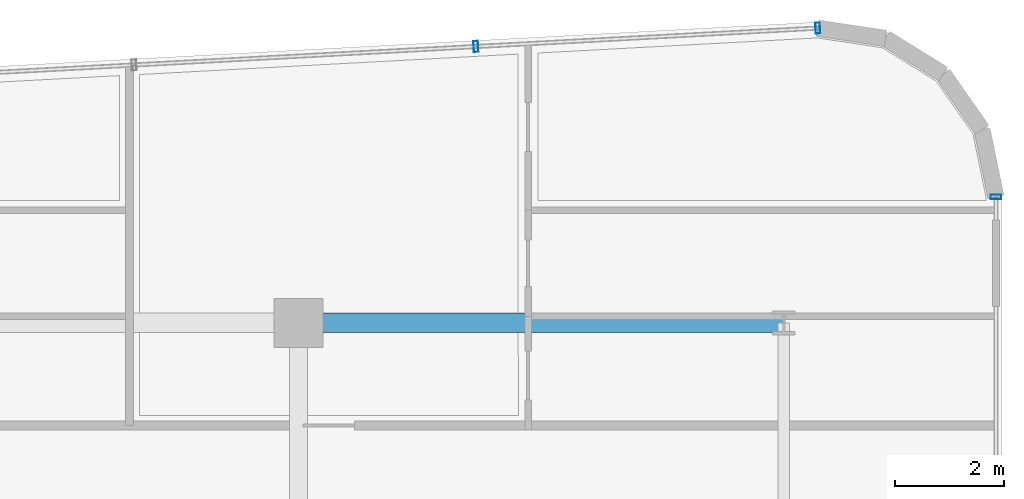
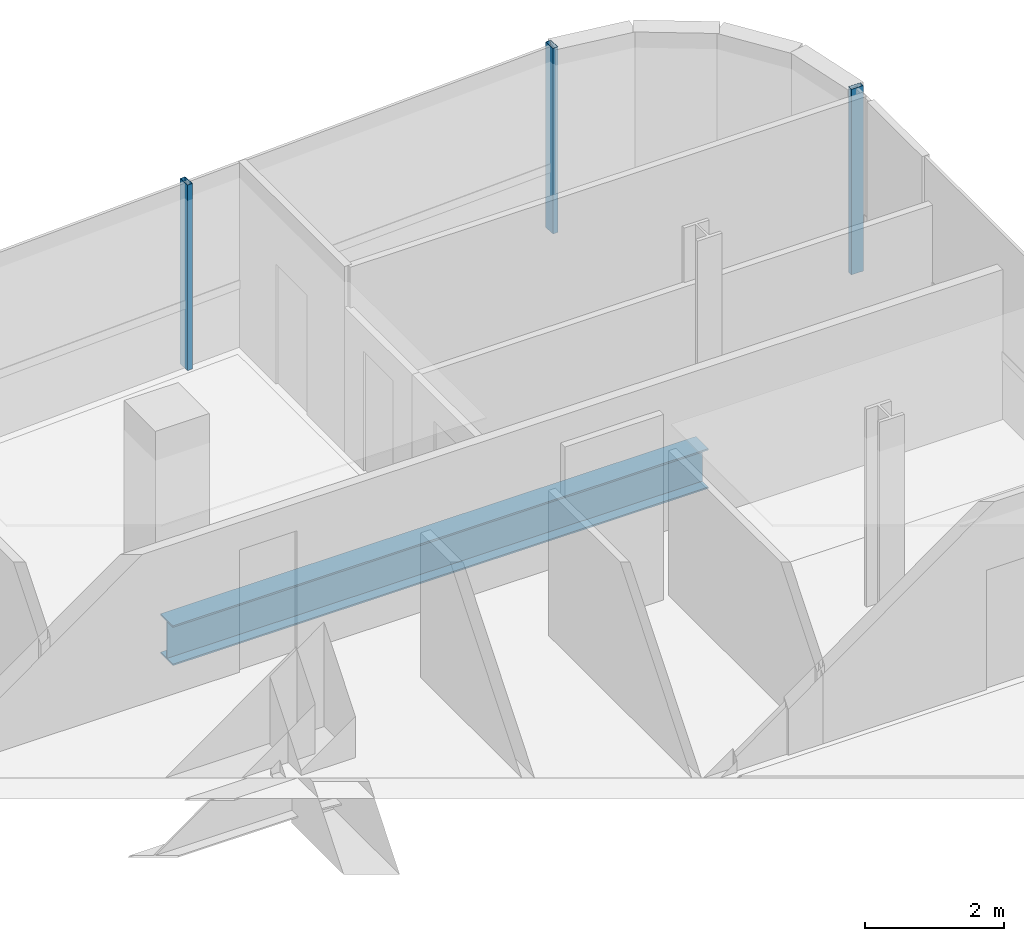
# One storey, part 15 of 23: 3 members, 1 beam, 2 elements without a shape of their own.
"""IFC4 building model written with IfcOpenShell, lengths in metres."""

import ifcopenshell
import ifcopenshell.guid

model = None  # the IFC model being written
_history = None  # IfcOwnerHistory: only IFC2X3 demands one
_inside = {}  # id of a spatial element -> (the spatial element, [elements in it])
_under = {}  # id of a project, library or spatial element -> (it, [spatial elements below it])
_declared = {}  # id of a project -> (the project, [libraries it declares])
_typed = {}  # id of a type object -> (the type object, [elements of that type])
_made_of = {}  # id of a material, layer set ... -> (it, [elements and type objects made of it])


def new_model(schema):
    """Start an empty IFC model of exactly this schema.

    Asked for "IFC4X3", IfcOpenShell would pick the latest addendum, in which some entities
    have other attributes; the version numbers below select the first issue.
    IFC2X3 requires an IfcOwnerHistory on every rooted entity: one is made here for all.
    """
    global model, _history
    if schema == "IFC4X3":
        model = ifcopenshell.file(schema_version=(4, 3, 0, 0))
    else:
        model = ifcopenshell.file(schema=schema)
    _inside.clear()
    _under.clear()
    _declared.clear()
    _typed.clear()
    _made_of.clear()
    _history = None
    if model.schema == "IFC2X3":
        org = make("IfcOrganization", Name="unknown")
        user = make(
            "IfcPersonAndOrganization",
            ThePerson=make("IfcPerson", FamilyName="unknown"),
            TheOrganization=org,
        )
        app = make(
            "IfcApplication",
            ApplicationDeveloper=org,
            Version="unknown",
            ApplicationFullName="unknown",
            ApplicationIdentifier="unknown",
        )
        _history = make(
            "IfcOwnerHistory",
            OwningUser=user,
            OwningApplication=app,
            ChangeAction="ADDED",
            CreationDate=0,
        )
    return model


def make(cls, **values):
    """One entity of the class cls with the attributes given. An attribute that is None is left unset."""
    return model.create_entity(
        cls, **{name: value for name, value in values.items() if value is not None}
    )


def rooted(cls, **values):
    """An entity with a GlobalId (a new one), such as an element, a storey or a relation."""
    return make(cls, GlobalId=ifcopenshell.guid.new(), OwnerHistory=_history, **values)


def si_unit(unit_type, name, prefix=None):
    """IfcSIUnit, for example si_unit("LENGTHUNIT", "METRE", prefix="MILLI")."""
    return make("IfcSIUnit", UnitType=unit_type, Prefix=prefix, Name=name)


def assignment(units):
    """IfcUnitAssignment: the units of a project."""
    return None if units is None else make("IfcUnitAssignment", Units=units)


def point(xyz):
    """IfcCartesianPoint."""
    return None if xyz is None else make("IfcCartesianPoint", Coordinates=xyz)


def direction(xyz):
    """IfcDirection."""
    return None if xyz is None else make("IfcDirection", DirectionRatios=xyz)


def frame(location, z_axis=None, x_axis=None):
    """IfcAxis2Placement3D, a coordinate frame: its origin and axes. An axis left out is left unset."""
    return make(
        "IfcAxis2Placement3D",
        Location=point(location),
        Axis=direction(z_axis),
        RefDirection=direction(x_axis),
    )


def frame_2d(location, x_axis=None):
    """IfcAxis2Placement2D, a coordinate frame in the plane: its origin and x axis."""
    return make(
        "IfcAxis2Placement2D", Location=point(location), RefDirection=direction(x_axis)
    )


def origin():
    """The frame at (0, 0, 0) with its axes left unset."""
    return frame((0.0, 0.0, 0.0))


def origin_2d():
    """The frame at (0, 0) in the plane with its x axis left unset."""
    return frame_2d((0.0, 0.0))


def place(relative_to, where):
    """IfcLocalPlacement: puts the frame where relative to a parent placement (None: the world)."""
    return make(
        "IfcLocalPlacement", PlacementRelTo=relative_to, RelativePlacement=where
    )


def context(
    kind, dimensions, precision=None, world=None, true_north=None, identifier=None
):
    """IfcGeometricRepresentationContext, for example the 3D "Model" context."""
    return make(
        "IfcGeometricRepresentationContext",
        ContextIdentifier=identifier,
        ContextType=kind,
        CoordinateSpaceDimension=dimensions,
        Precision=precision,
        WorldCoordinateSystem=world,
        TrueNorth=true_north,
    )


def subcontext(parent, identifier, kind, view, scale=None):
    """IfcGeometricRepresentationSubContext, for example "Body" below "Model"."""
    return make(
        "IfcGeometricRepresentationSubContext",
        ContextIdentifier=identifier,
        ContextType=kind,
        ParentContext=parent,
        TargetScale=scale,
        TargetView=view,
    )


def project(units=None, contexts=None):
    """IfcProject with its units and contexts."""
    return rooted(
        "IfcProject",
        Name="project",
        RepresentationContexts=contexts,
        UnitsInContext=assignment(units),
    )


def spatial(cls, under=None, at=None, **own):
    """A site, building, storey or space (cls), placed at a placement, below another one or the project."""
    s = rooted(cls, ObjectPlacement=at, **own)
    if under is not None:
        _under.setdefault(under.id(), (under, []))[1].append(s)
    return s


def profile(cls, at=None, kind="AREA", **sizes):
    """A parametric profile (cls). Its sizes go by their IFC names, for example OverallWidth=200.0."""
    return make(cls, ProfileType=kind, Position=at, **sizes)


def hollow_rectangle(**sizes):
    """IfcRectangleHollowProfileDef."""
    return profile("IfcRectangleHollowProfileDef", **sizes)


def i_section(**sizes):
    """IfcIShapeProfileDef."""
    return profile("IfcIShapeProfileDef", **sizes)


def extrude(swept, where, along, depth):
    """IfcExtrudedAreaSolid: the profile swept, set in the frame where, extruded along a direction by depth."""
    return make(
        "IfcExtrudedAreaSolid",
        SweptArea=swept,
        Position=where,
        ExtrudedDirection=direction(along),
        Depth=depth,
    )


def shape(context_of_items, identifier, shape_type, items):
    """IfcShapeRepresentation: the items that make up one representation, for example the "Body"."""
    return make(
        "IfcShapeRepresentation",
        ContextOfItems=context_of_items,
        RepresentationIdentifier=identifier,
        RepresentationType=shape_type,
        Items=items,
    )


def source(mapping_origin, context_of_items, identifier, shape_type, items):
    """IfcRepresentationMap: a shape defined once, which mapped items show again and again."""
    return make(
        "IfcRepresentationMap",
        MappingOrigin=mapping_origin,
        MappedRepresentation=shape(context_of_items, identifier, shape_type, items),
    )


def transform(
    local_origin,
    x_axis=None,
    y_axis=None,
    z_axis=None,
    scale=None,
    scale2=None,
    scale3=None,
    uniform=True,
):
    """IfcCartesianTransformationOperator3D, or its non-uniform kind. x_axis, y_axis, z_axis: its Axis1, 2, 3."""
    if uniform:
        return make(
            "IfcCartesianTransformationOperator3D",
            Axis1=direction(x_axis),
            Axis2=direction(y_axis),
            LocalOrigin=point(local_origin),
            Scale=scale,
            Axis3=direction(z_axis),
        )
    return make(
        "IfcCartesianTransformationOperator3DnonUniform",
        Axis1=direction(x_axis),
        Axis2=direction(y_axis),
        LocalOrigin=point(local_origin),
        Scale=scale,
        Axis3=direction(z_axis),
        Scale2=scale2,
        Scale3=scale3,
    )


def mapped(mapping_source, mapping_target):
    """IfcMappedItem: shows the shape of a source again, moved by a transform."""
    return make(
        "IfcMappedItem", MappingSource=mapping_source, MappingTarget=mapping_target
    )


def material(Name=None, Category=None):
    """IfcMaterial."""
    return make("IfcMaterial", Name=Name, Category=Category)


def material_profile(
    of_material, cross_section, Name=None, Category=None, Priority=None
):
    """IfcMaterialProfile: a cross section and its material."""
    return make(
        "IfcMaterialProfile",
        Name=Name,
        Material=of_material,
        Profile=cross_section,
        Priority=Priority,
        Category=Category,
    )


def profile_set(profiles, Name=None, composite=None):
    """IfcMaterialProfileSet."""
    return make(
        "IfcMaterialProfileSet",
        Name=Name,
        MaterialProfiles=profiles,
        CompositeProfile=composite,
    )


def made_of(thing, what):
    """Note that an element or type object is made of a material, layer set ...; save() writes the relation."""
    if what is not None:
        _made_of.setdefault(what.id(), (what, []))[1].append(thing)
    return thing


def type_object(cls, material=None, **own):
    """A type object (cls), such as IfcWallType, which elements share."""
    return made_of(rooted(cls, **own), material)


def element(
    cls,
    number,
    at=None,
    inside=None,
    cuts=None,
    type_object=None,
    material=None,
    context=None,
    identifier="Body",
    shape_type=None,
    held_by="IfcProductDefinitionShape",
    body=None,
    shapes=None,
    **own,
):
    """One element of the class cls, such as IfcWall. Its Tag is "e" and its number.

    at: its placement. inside: the storey or other place that contains it. cuts: it is an
    opening in that element (IfcRelVoidsElement). A single representation is given by context,
    identifier, shape_type and body (its items); several are given by shapes. held_by: the class
    of the entity that holds the representations. save() writes the other relations.
    """
    e = rooted(cls, Tag="e%d" % number, ObjectPlacement=at, **own)
    if body is not None:
        shapes = [shape(context, identifier, shape_type, body)]
    if shapes is not None:
        e.Representation = make(held_by, Representations=shapes)
    if inside is not None:
        _inside.setdefault(inside.id(), (inside, []))[1].append(e)
    if cuts is not None:
        rooted(
            "IfcRelVoidsElement", RelatingBuildingElement=cuts, RelatedOpeningElement=e
        )
    if type_object is not None:
        _typed.setdefault(type_object.id(), (type_object, []))[1].append(e)
    return made_of(e, material)


def aggregate(whole, parts):
    """IfcRelAggregates: a whole, such as a stair, and the parts it consists of."""
    return rooted("IfcRelAggregates", RelatingObject=whole, RelatedObjects=parts)


def save(model, path):
    """Write the relations noted so far, then the file.

    IfcRelAggregates (storeys below a building ...), IfcRelContainedInSpatialStructure (elements
    in a storey), IfcRelDefinesByType, IfcRelAssociatesMaterial and IfcRelDeclares: one each for
    every whole, place, type object, material and project.
    """
    for whole, parts in _under.values():
        aggregate(whole, parts)
    for where, things in _inside.values():
        rooted(
            "IfcRelContainedInSpatialStructure",
            RelatedElements=things,
            RelatingStructure=where,
        )
    for kind, things in _typed.values():
        rooted("IfcRelDefinesByType", RelatedObjects=things, RelatingType=kind)
    for what, things in _made_of.values():
        rooted("IfcRelAssociatesMaterial", RelatedObjects=things, RelatingMaterial=what)
    for by, libraries in _declared.values():
        rooted("IfcRelDeclares", RelatingContext=by, RelatedDefinitions=libraries)
    model.write(path)


model = new_model("IFC4")

# Units and contexts
model_context = context("Model", 3, precision=1e-05, world=origin(), true_north=direction((0.0, 1.0)))
body_context = subcontext(model_context, "Body", "Model", "MODEL_VIEW")
ifc_project = project(units=[si_unit("LENGTHUNIT", "METRE"), si_unit("AREAUNIT", "SQUARE_METRE"), si_unit("VOLUMEUNIT", "CUBIC_METRE"), si_unit("PLANEANGLEUNIT", "RADIAN"), si_unit("MASSUNIT", "GRAM", prefix="KILO")], contexts=[model_context])

# Site, building, storey
site_placement = place(None, origin())
site = spatial("IfcSite", under=ifc_project, at=site_placement, CompositionType="ELEMENT")
building_placement = place(site_placement, origin())
building = spatial("IfcBuilding", under=site, at=building_placement, Name="Valdorenza Pilgrim Sanctuary Tower", CompositionType="ELEMENT")
storey_placement = place(building_placement, frame((0.0, 0.0, 226.5)))
storey = spatial("IfcBuildingStorey", under=building, at=storey_placement, Name="L58", CompositionType="ELEMENT", Elevation=226.5)

# Beam
ifc_material_1 = material(Name="Steel ASTM A992 Grade 50", Category="steel")
ifc_material_profile_1 = material_profile(ifc_material_1, i_section(OverallWidth=0.35595703125, OverallDepth=0.700927734375, WebThickness=0.016845703125, FlangeThickness=0.02734375, at=origin_2d()), Name="W27X161")
ifc_profile_set_1 = profile_set([ifc_material_profile_1], Name="Steel ASTM A992 Grade 50")
beam_type = type_object("IfcBeamType", Name="STR-BM-GRD-W27", PredefinedType="BEAM", material=ifc_profile_set_1)
shared_shape_1 = source(origin(), body_context, "Body", "SweptSolid", [
    extrude(i_section(OverallWidth=0.35595703125, OverallDepth=0.700927734375, WebThickness=0.016845703125, FlangeThickness=0.02734375, at=origin_2d()), origin(), (0.0, 0.0, 1.0), 8.89990234375),
])
beam_placement = place(storey_placement, frame((-12.39990234375, 14.800048828125, -0.590576171875), z_axis=(1.0, 0.0, 0.0), x_axis=(0.0, 1.0, 0.0)))
element("IfcBeam", 1, at=beam_placement, inside=storey, type_object=beam_type, Name="L58 Floor Girder UWA-KG2", PredefinedType="BEAM", context=body_context, shape_type="MappedRepresentation", body=[
    mapped(shared_shape_1, transform((0.0, 0.0, 0.0), x_axis=(1.0, 0.0, 0.0), y_axis=(0.0, 1.0, 0.0), z_axis=(0.0, 0.0, 1.0), scale=1.0)),
])

# Curtain wall, members
ifc_material_2 = material(Name="Curtain-wall IGU glazing", Category="glass")
curtain_wall_type = type_object("IfcCurtainWallType", Name="CW-SYS-02", PredefinedType="NOTDEFINED", material=ifc_material_2)
curtain_wall_1_placement = place(storey_placement, origin())
curtain_wall_1 = element("IfcCurtainWall", 2, at=curtain_wall_1_placement, inside=storey, type_object=curtain_wall_type, Name="L58 Curtain Wall CW-L58-1-6", PredefinedType="NOTDEFINED")
ifc_material_3 = material(Name="Anodised aluminium AW-6060", Category="aluminium")
ifc_material_profile_2 = material_profile(ifc_material_3, hollow_rectangle(XDim=0.0849609375, YDim=0.199951171875, WallThickness=0.0048828125, at=origin_2d()), Name="ALU-M 200x85x5")
ifc_profile_set_2 = profile_set([ifc_material_profile_2], Name="Anodised aluminium AW-6060")
member_type = type_object("IfcMemberType", Name="CW-MUL-02", PredefinedType="MULLION", material=ifc_profile_set_2)
shared_shape_2 = source(origin(), body_context, "Body", "SweptSolid", [
    extrude(hollow_rectangle(XDim=0.0849609375, YDim=0.199951171875, WallThickness=0.0048828125, at=origin_2d()), origin(), (0.0, 0.0, 1.0), 3.260009765625),
])
member_1_placement = place(storey_placement, frame((-9.147216796875, 19.869140625, 0.0), z_axis=(0.0, 0.0, 1.0), x_axis=(0.998547034311, 0.053887106711, 0.0)))
member_1 = element("IfcMember", 3, at=member_1_placement, type_object=member_type, Name="CW-L58-1-6 Mullion 4", PredefinedType="MULLION", context=body_context, shape_type="MappedRepresentation", body=[
    mapped(shared_shape_2, transform((0.0, 0.0, 0.0), x_axis=(1.0, 0.0, 0.0), y_axis=(0.0, 1.0, 0.0), z_axis=(0.0, 0.0, 1.0), scale=1.0)),
])
member_2_placement = place(storey_placement, frame((-2.877685546875, 20.20751953125, 0.0), z_axis=(0.0, 0.0, 1.0), x_axis=(0.998547034311, 0.053887106711, 0.0)))
member_2 = element("IfcMember", 4, at=member_2_placement, type_object=member_type, Name="CW-L58-1-6 Mullion 5", PredefinedType="MULLION", context=body_context, shape_type="MappedRepresentation", body=[
    mapped(shared_shape_2, transform((0.0, 0.0, 0.0), x_axis=(1.0, 0.0, 0.0), y_axis=(0.0, 1.0, 0.0), z_axis=(0.0, 0.0, 1.0), scale=1.0)),
])
aggregate(curtain_wall_1, [member_1, member_2])

# Curtain wall, member
curtain_wall_2_placement = place(storey_placement, origin())
curtain_wall_2 = element("IfcCurtainWall", 5, at=curtain_wall_2_placement, inside=storey, type_object=curtain_wall_type, Name="L58 Curtain Wall CW-L58-1-11", PredefinedType="NOTDEFINED")
member_3_placement = place(storey_placement, frame((0.389892578125, 17.111328125, 0.0), z_axis=(0.0, 0.0, 1.0), x_axis=(0.0, -1.0, 0.0)))
member_3 = element("IfcMember", 6, at=member_3_placement, type_object=member_type, Name="CW-L58-1-11 Mullion 1", PredefinedType="MULLION", context=body_context, shape_type="MappedRepresentation", body=[
    mapped(shared_shape_2, transform((0.0, 0.0, 0.0), x_axis=(1.0, 0.0, 0.0), y_axis=(0.0, 1.0, 0.0), z_axis=(0.0, 0.0, 1.0), scale=1.0)),
])
aggregate(curtain_wall_2, [member_3])

save(model, "model.ifc")
